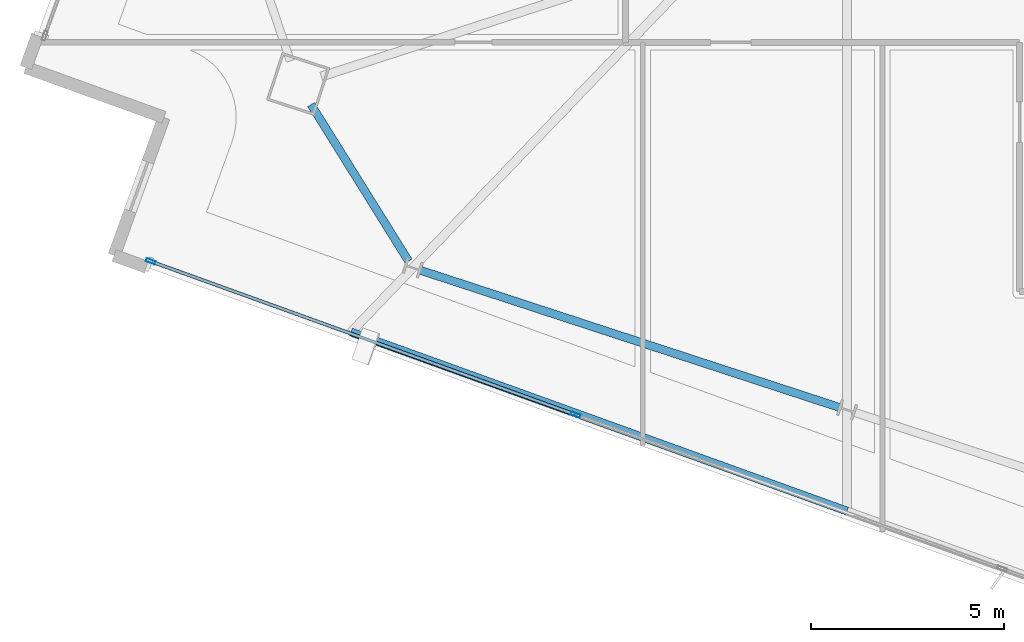
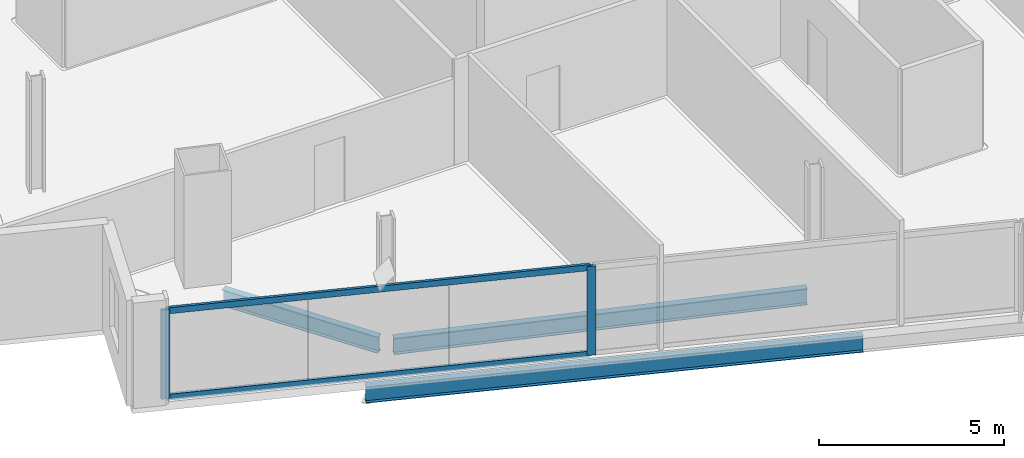
# One storey, part 2 of 27: 4 members, 3 beams, 1 element without a shape of its own.
"""IFC4 building model written with IfcOpenShell, lengths in metres."""

from ifc_helpers import new_model, si_unit, direction, frame, origin, origin_2d, place, context, subcontext, project, spatial, hollow_rectangle, i_section, extrude, material, material_profile, profile_set, type_object, element, aggregate, save


model = new_model("IFC4")

# Units and contexts
model_context = context("Model", 3, precision=1e-05, world=origin(), true_north=direction((0.0, 1.0)))
body_context = subcontext(model_context, "Body", "Model", "MODEL_VIEW")
ifc_project = project(units=[si_unit("LENGTHUNIT", "METRE"), si_unit("AREAUNIT", "SQUARE_METRE"), si_unit("VOLUMEUNIT", "CUBIC_METRE"), si_unit("PLANEANGLEUNIT", "RADIAN"), si_unit("MASSUNIT", "GRAM", prefix="KILO")], contexts=[model_context])

# Site, building, storey
site_placement = place(None, origin())
site = spatial("IfcSite", under=ifc_project, at=site_placement, CompositionType="ELEMENT")
building_placement = place(site_placement, origin())
building = spatial("IfcBuilding", under=site, at=building_placement, Name="Haldenkirk Collegiate Tower", CompositionType="ELEMENT")
storey_placement = place(building_placement, frame((0.0, 0.0, 263.699951171875)))
storey = spatial("IfcBuildingStorey", under=building, at=storey_placement, Name="L66", CompositionType="ELEMENT", Elevation=263.699951171875)

# Beams
ifc_material_1 = material(Name="Steel ASTM A992 Grade 50", Category="steel")
ifc_material_profile_1 = material_profile(ifc_material_1, i_section(OverallWidth=0.2099609375, OverallDepth=0.537109375, WebThickness=0.010986328125, FlangeThickness=0.017333984375, at=origin_2d()), Name="W21X68")
ifc_profile_set_1 = profile_set([ifc_material_profile_1], Name="Steel ASTM A992 Grade 50")
beam_type = type_object("IfcBeamType", Name="BM-SPANDREL-W21X68", PredefinedType="SPANDREL", material=ifc_profile_set_1)
beam_1_placement = place(storey_placement, frame((16.41064453125, 13.939697265625, -0.538330078125), z_axis=(0.528899826427, -0.848684260255, 0.0), x_axis=(0.848684260255, 0.528899826427, 0.0)))
element("IfcBeam", 1, at=beam_1_placement, inside=storey, type_object=beam_type, Name="L66 perimeter spandrel beam 13", PredefinedType="SPANDREL", context=body_context, shape_type="SweptSolid", body=[
    extrude(i_section(OverallWidth=0.2099609375, OverallDepth=0.537109375, WebThickness=0.010986328125, FlangeThickness=0.017333984375, at=origin_2d()), origin(), (0.0, 0.0, 1.0), 4.77392578125),
])
beam_2_placement = place(storey_placement, frame((19.235107421875, 9.6533203125, -0.538330078125), z_axis=(0.950408846531, -0.311003254701, 0.0), x_axis=(0.311003254701, 0.950408846531, 0.0)))
element("IfcBeam", 2, at=beam_2_placement, inside=storey, type_object=beam_type, Name="L66 perimeter spandrel beam 14", PredefinedType="SPANDREL", context=body_context, shape_type="SweptSolid", body=[
    extrude(i_section(OverallWidth=0.2099609375, OverallDepth=0.537109375, WebThickness=0.010986328125, FlangeThickness=0.017333984375, at=origin_2d()), origin(), (0.0, 0.0, 1.0), 11.421875),
])
beam_3_placement = place(storey_placement, frame((17.44580078125, 8.053955078125, -0.538330078125), z_axis=(0.94058786391, -0.339550394294, 0.0), x_axis=(0.339550394294, 0.94058786391, 0.0)))
element("IfcBeam", 3, at=beam_3_placement, inside=storey, type_object=beam_type, Name="L66 outer facade edge beam 4A", PredefinedType="SPANDREL", context=body_context, shape_type="SweptSolid", body=[
    extrude(i_section(OverallWidth=0.2099609375, OverallDepth=0.537109375, WebThickness=0.010986328125, FlangeThickness=0.017333984375, at=origin_2d()), origin(), (0.0, 0.0, 1.0), 13.648193359375),
])

# Curtain wall, members
ifc_material_2 = material(Name="Anodised architectural bronze aluminium", Category="aluminium")
curtain_wall_type = type_object("IfcCurtainWallType", Name="CW-SYS1B-CONVEX-HI", PredefinedType="USERDEFINED", material=ifc_material_2)
curtain_wall_placement = place(storey_placement, origin())
curtain_wall = element("IfcCurtainWall", 4, at=curtain_wall_placement, inside=storey, type_object=curtain_wall_type, Name="L66 Upper tower high-wind convex bronze unitised curtain wall", ObjectType="UNITISED CURTAIN WALL", PredefinedType="USERDEFINED")
ifc_material_profile_2 = material_profile(ifc_material_2, hollow_rectangle(XDim=0.0849609375, YDim=0.25, WallThickness=0.0048828125, at=origin_2d()), Name="CW-MUL-1B")
ifc_profile_set_2 = profile_set([ifc_material_profile_2], Name="Anodised architectural bronze aluminium")
member_type_1 = type_object("IfcMemberType", Name="CW-MUL-1B", PredefinedType="MULLION", material=ifc_profile_set_2)
member_1_placement = place(storey_placement, frame((23.255615234375, 5.9140625, 0.0), z_axis=(0.0, 0.0, 1.0), x_axis=(-0.339558525625, -0.940584928475, 0.0)))
member_1 = element("IfcMember", 5, at=member_1_placement, type_object=member_type_1, Name="CW-1B mullion 3", PredefinedType="MULLION", context=body_context, shape_type="SweptSolid", body=[
    extrude(hollow_rectangle(XDim=0.0849609375, YDim=0.25, WallThickness=0.0048828125, at=origin_2d()), origin(), (0.0, 0.0, 1.0), 2.93798828125),
])
member_2_placement = place(storey_placement, frame((12.259521484375, 9.8837890625, 0.0), z_axis=(0.0, 0.0, 1.0), x_axis=(-0.339558525625, -0.940584928475, 0.0)))
member_2 = element("IfcMember", 6, at=member_2_placement, type_object=member_type_1, Name="CW-1B mullion 4", PredefinedType="MULLION", context=body_context, shape_type="SweptSolid", body=[
    extrude(hollow_rectangle(XDim=0.0849609375, YDim=0.25, WallThickness=0.0048828125, at=origin_2d()), origin(), (0.0, 0.0, 1.0), 2.93798828125),
])
ifc_material_profile_3 = material_profile(ifc_material_2, hollow_rectangle(XDim=0.0849609375, YDim=0.199951171875, WallThickness=0.0048828125, at=origin_2d()), Name="CW-TRN-1B")
ifc_profile_set_3 = profile_set([ifc_material_profile_3], Name="Anodised architectural bronze aluminium")
member_type_2 = type_object("IfcMemberType", Name="CW-TRN-1B", PredefinedType="USERDEFINED", material=ifc_profile_set_3)
member_3_placement = place(storey_placement, frame((23.2158203125, 5.928466796875, 0.04248046875), z_axis=(-0.940583203017, 0.339563305148, 0.0), x_axis=(-0.339563305148, -0.940583203017, 0.0)))
member_3 = element("IfcMember", 7, at=member_3_placement, type_object=member_type_2, Name="CW-1B transom 3.1", ObjectType="TRANSOM", PredefinedType="USERDEFINED", context=body_context, shape_type="SweptSolid", body=[
    extrude(hollow_rectangle(XDim=0.0849609375, YDim=0.199951171875, WallThickness=0.0048828125, at=origin_2d()), origin(), (0.0, 0.0, 1.0), 11.60595703125),
])
member_4_placement = place(storey_placement, frame((23.2158203125, 5.928466796875, 2.8955078125), z_axis=(-0.940583203017, 0.339563305148, 0.0), x_axis=(-0.339563305148, -0.940583203017, 0.0)))
member_4 = element("IfcMember", 8, at=member_4_placement, type_object=member_type_2, Name="CW-1B transom 3.2", ObjectType="TRANSOM", PredefinedType="USERDEFINED", context=body_context, shape_type="SweptSolid", body=[
    extrude(hollow_rectangle(XDim=0.0849609375, YDim=0.199951171875, WallThickness=0.0048828125, at=origin_2d()), origin(), (0.0, 0.0, 1.0), 11.60595703125),
])
aggregate(curtain_wall, [member_1, member_2, member_3, member_4])

save(model, "model.ifc")
